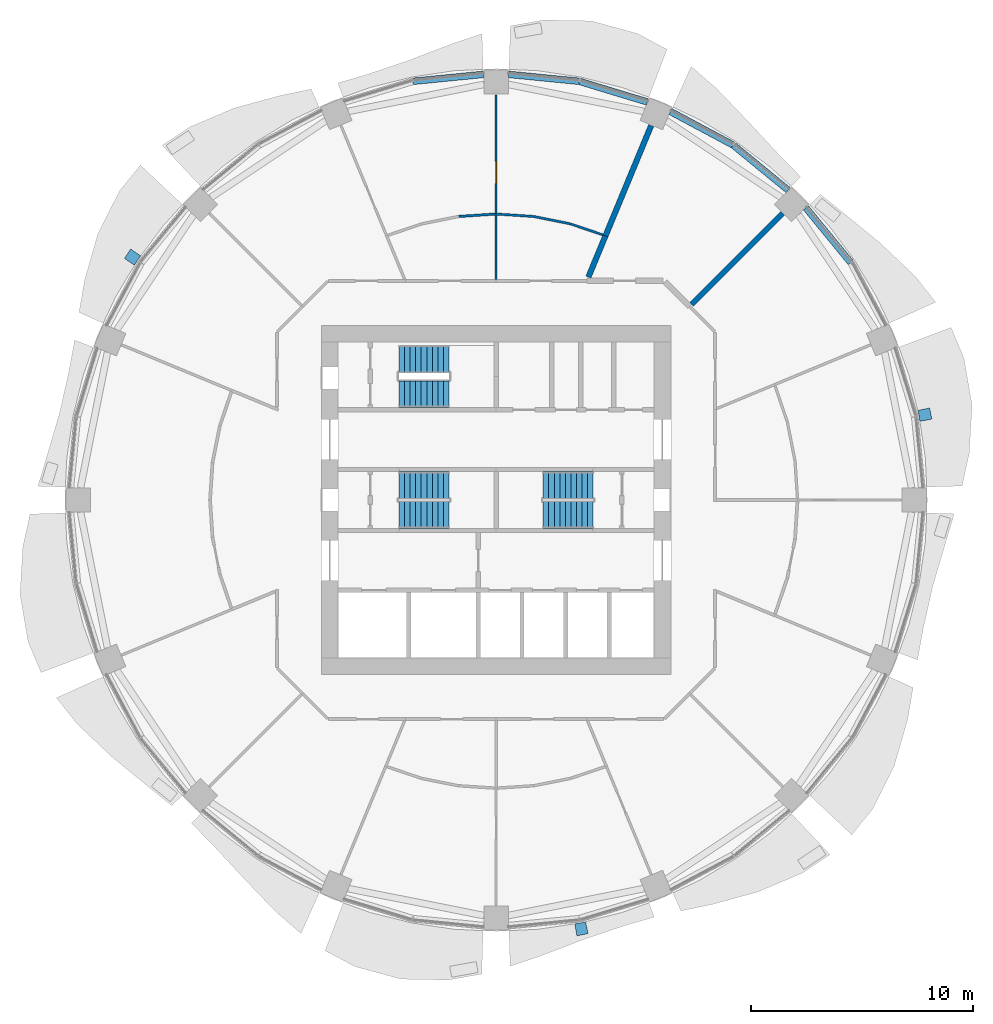
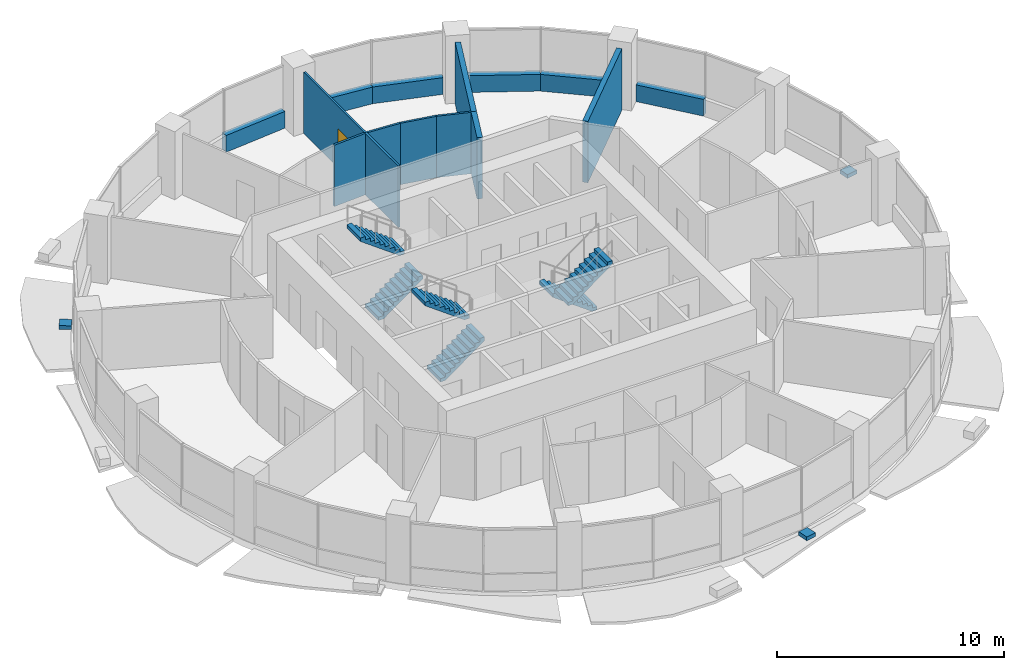
# One storey, part 11 of 15: 15 walls, 6 stair flights, 3 discrete accessories, 1 door, 1 opening, 3 elements without a shape of their own.
"""IFC4 building model written with IfcOpenShell, lengths in metres."""

from ifc_helpers import new_model, si_unit, direction, frame, frame_2d, origin, place, context, subcontext, project, spatial, polyline, rectangle, outline, extrude, material, layer, layer_set, type_object, element, fill, aggregate, save


model = new_model("IFC4")

# Units and contexts
model_context = context("Model", 3, precision=1e-05, world=origin(), true_north=direction((0.0, 1.0)))
body_context = subcontext(model_context, "Body", "Model", "MODEL_VIEW")
ifc_project = project(units=[si_unit("LENGTHUNIT", "METRE"), si_unit("AREAUNIT", "SQUARE_METRE"), si_unit("VOLUMEUNIT", "CUBIC_METRE"), si_unit("PLANEANGLEUNIT", "RADIAN"), si_unit("MASSUNIT", "GRAM", prefix="KILO")], contexts=[model_context])

# Site, building, storey
site_placement = place(None, origin())
site = spatial("IfcSite", under=ifc_project, at=site_placement, CompositionType="ELEMENT")
building_placement = place(site_placement, origin())
building = spatial("IfcBuilding", under=site, at=building_placement, Name="Polderwave Tower", CompositionType="ELEMENT")
storey_placement = place(building_placement, frame((0.0, 0.0, 76.39990234375)))
storey = spatial("IfcBuildingStorey", under=building, at=storey_placement, Name="L19", CompositionType="ELEMENT", Elevation=76.39990234375)

# Walls
ifc_material_1 = material(Name="Concrete C50/60 (board-marked)", Category="concrete")
ifc_layer_1 = layer(ifc_material_1, 0.300048828125)
ifc_layer_set_1 = layer_set([ifc_layer_1], Name="Concrete spandrel upstand C50/60")
wall_type_1 = type_object("IfcWallType", Name="Concrete spandrel upstand C50/60", PredefinedType="SOLIDWALL", material=ifc_layer_set_1)
for number, where, z_axis, x_axis, name in (
    (1, (15.987548828125, 10.70068359375, 0.0), (0.0, 0.0, 1.0), (-0.63411253447, 0.773240773387, 0.0), "Spandrel L19 2b"),
    (2, (13.16748046875, 13.964599609375, 0.0), (0.0, 0.0, 1.0), (-0.773240773387, 0.63411253447, 0.0), "Spandrel L19 3a"),
    (3, (10.67578125, 16.004150390625, 0.0), (0.0, 0.0, 1.0), (-0.8819437364, 0.471354692163, 0.0), "Spandrel L19 3b"),
):
    element("IfcWall", number, at=place(storey_placement, frame(where, z_axis=z_axis, x_axis=x_axis)), inside=storey, type_object=wall_type_1, Name=name, PredefinedType="SOLIDWALL", context=body_context, shape_type="SweptSolid", body=[
        extrude(rectangle(XDim=3.190185546875, YDim=0.300048828125, at=frame_2d((1.59521484375, 0.0))), origin(), (0.0, 0.0, 1.0), 0.900146484375),
    ])
wall_1_placement = place(storey_placement, frame((6.820556640625, 17.939453125, 0.0), z_axis=(0.0, 0.0, 1.0), x_axis=(-0.956954228099, 0.290238876314, 0.0)))
element("IfcWall", 4, at=wall_1_placement, inside=storey, type_object=wall_type_1, Name="Spandrel L19 4a", PredefinedType="SOLIDWALL", context=body_context, shape_type="SweptSolid", body=[
    extrude(rectangle(XDim=3.190673828125, YDim=0.300048828125, at=frame_2d((1.59521484375, 0.0))), origin(), (0.0, 0.0, 1.0), 0.900146484375),
])
for number, where, z_axis, x_axis, name in (
    (5, (3.738037109375, 18.87158203125, 0.0), (0.0, 0.0, 1.0), (-0.995173420989, 0.098131861065, 0.0), "Spandrel L19 4b"),
    (6, (-0.56396484375, 19.1845703125, 0.0), (0.0, 0.0, 1.0), (-0.995173420989, -0.098131861065, 0.0), "Spandrel L19 5a"),
):
    element("IfcWall", number, at=place(storey_placement, frame(where, z_axis=z_axis, x_axis=x_axis)), inside=storey, type_object=wall_type_1, Name=name, PredefinedType="SOLIDWALL", context=body_context, shape_type="SweptSolid", body=[
        extrude(rectangle(XDim=3.189453125, YDim=0.300048828125, at=frame_2d((1.5947265625, 0.0))), origin(), (0.0, 0.0, 1.0), 0.900146484375),
    ])

# Wall, opening, door
ifc_material_2 = material(Name="Plasterboard on steel studs", Category="steel")
ifc_layer_2 = layer(ifc_material_2, 0.10009765625)
ifc_layer_set_2 = layer_set([ifc_layer_2], Name="Partition 100 mm plasterboard on steel studs")
wall_type_2 = type_object("IfcWallType", Name="Partition 100 mm plasterboard on steel studs", PredefinedType="PARTITIONING", material=ifc_layer_set_2)
wall_2_placement = place(storey_placement, frame((0.0, 18.260009765625, 0.0), z_axis=(0.0, 0.0, 1.0), x_axis=(0.0, -1.0, 0.0)))
wall_2 = element("IfcWall", 7, at=wall_2_placement, inside=storey, type_object=wall_type_2, Name="IN-L19-W036", PredefinedType="PARTITIONING", context=body_context, shape_type="SweptSolid", body=[
    extrude(rectangle(XDim=5.3701171875, YDim=0.10009765625, at=frame_2d((2.68505859375, 0.0))), origin(), (0.0, 0.0, 1.0), 3.300048828125),
])
opening_placement = place(wall_2_placement, frame((3.0, 0.0, 0.0)))
opening = element("IfcOpeningElement", 8, at=opening_placement, cuts=wall_2, Name="Opening L19-D64", PredefinedType="OPENING", context=body_context, shape_type="SweptSolid", body=[
    extrude(rectangle(XDim=1.0, YDim=2.10009765625, at=frame_2d((0.5, 1.050048828125))), frame((0.0, 0.06005859375, 0.0), z_axis=(0.0, -1.0, 0.0), x_axis=(1.0, 0.0, 0.0)), (0.0, 0.0, 1.0), 0.1201171875),
])
ifc_material_3 = material(Name="Timber veneer door leaf", Category="wood")
door_type = type_object("IfcDoorType", Name="Single door 1000 x 2100", OperationType="NOTDEFINED", PredefinedType="DOOR", material=ifc_material_3)
door_placement = place(opening_placement, origin())
door = element("IfcDoor", 9, at=door_placement, inside=storey, type_object=door_type, Name="Door L19-D64", OperationType="SINGLE_SWING_RIGHT", OverallHeight=2.10009765625, OverallWidth=1.0, PredefinedType="DOOR", context=body_context, shape_type="SweptSolid", body=[
    extrude(rectangle(XDim=1.0, YDim=2.10009765625, at=frame_2d((0.5, 1.050048828125))), frame((0.0, 0.02490234375, 0.0), z_axis=(0.0, -1.0, 0.0), x_axis=(1.0, 0.0, 0.0)), (0.0, 0.0, 1.0), 0.050048828125),
])
fill(opening, door)

# Walls
ifc_material_4 = material(Name="Moisture-resistant board on steel studs, tiled", Category="steel")
ifc_layer_3 = layer(ifc_material_4, 0.10498046875)
ifc_layer_set_3 = layer_set([ifc_layer_3], Name="Partition 105 mm wet room board and tile")
wall_type_3 = type_object("IfcWallType", Name="Partition 105 mm wet room board and tile", PredefinedType="PARTITIONING", material=ifc_layer_set_3)
wall_3_placement = place(storey_placement, frame((0.055908203125, 12.88623046875, 0.0), z_axis=(0.0, 0.0, 1.0), x_axis=(0.99785694905, -0.065433242561, 0.0)))
element("IfcWall", 10, at=wall_3_placement, inside=storey, type_object=wall_type_3, Name="IN-L19-W032", PredefinedType="PARTITIONING", context=body_context, shape_type="SweptSolid", body=[
    extrude(rectangle(XDim=1.626708984375, YDim=0.10498046875, at=frame_2d((0.8134765625, 0.0))), origin(), (0.0, 0.0, 1.0), 3.300048828125),
])
wall_4_placement = place(storey_placement, frame((1.685791015625, 12.779052734375, 0.0), z_axis=(0.0, 0.0, 1.0), x_axis=(0.980781464345, -0.195109505655, 0.0)))
element("IfcWall", 11, at=wall_4_placement, inside=storey, type_object=wall_type_3, Name="IN-L19-W033", PredefinedType="PARTITIONING", context=body_context, shape_type="SweptSolid", body=[
    extrude(rectangle(XDim=1.67919921875, YDim=0.10498046875, at=frame_2d((0.839599609375, 0.0))), origin(), (0.0, 0.0, 1.0), 3.300048828125),
])
wall_5_placement = place(storey_placement, frame((3.339599609375, 12.44970703125, 0.0), z_axis=(0.0, 0.0, 1.0), x_axis=(0.946908669333, -0.321502677971, 0.0)))
element("IfcWall", 12, at=wall_5_placement, inside=storey, type_object=wall_type_3, Name="IN-L19-W034", PredefinedType="PARTITIONING", context=body_context, shape_type="SweptSolid", body=[
    extrude(rectangle(XDim=1.5537109375, YDim=0.10498046875, at=frame_2d((0.77685546875, 0.0))), origin(), (0.0, 0.0, 1.0), 3.300048828125),
])
wall_6_placement = place(storey_placement, frame((0.0, 9.9365234375, 0.0), z_axis=(0.0, 0.0, 1.0), x_axis=(0.0, 1.0, 0.0)))
element("IfcWall", 13, at=wall_6_placement, inside=storey, type_object=wall_type_3, Name="IN-L19-W035", PredefinedType="PARTITIONING", context=body_context, shape_type="SweptSolid", body=[
    extrude(rectangle(XDim=2.953369140625, YDim=0.10498046875, at=frame_2d((1.4765625, 0.0))), origin(), (0.0, 0.0, 1.0), 3.300048828125),
])
ifc_material_5 = material(Name="Acoustic double plasterboard on steel studs", Category="steel")
ifc_layer_4 = layer(ifc_material_5, 0.110107421875)
ifc_layer_set_4 = layer_set([ifc_layer_4], Name="Partition 110 mm acoustic double board")
wall_type_4 = type_object("IfcWallType", Name="Partition 110 mm acoustic double board", PredefinedType="PARTITIONING", material=ifc_layer_set_4)
wall_7_placement = place(storey_placement, frame((-1.678955078125, 12.77978515625, 0.0), z_axis=(0.0, 0.0, 1.0), x_axis=(0.997855663367, 0.065452846281, 0.0)))
element("IfcWall", 14, at=wall_7_placement, inside=storey, type_object=wall_type_4, Name="IN-L19-W039", PredefinedType="PARTITIONING", context=body_context, shape_type="SweptSolid", body=[
    extrude(rectangle(XDim=1.626220703125, YDim=0.110107421875, at=frame_2d((0.81298828125, 0.0))), origin(), (0.0, 0.0, 1.0), 3.300048828125),
])
ifc_material_6 = material(Name="Fire-resisting board on steel studs, mineral wool", Category="steel")
ifc_layer_5 = layer(ifc_material_6, 0.25)
ifc_layer_set_5 = layer_set([ifc_layer_5], Name="Plant room wall 250 mm EI 120")
wall_type_5 = type_object("IfcWallType", Name="Plant room wall 250 mm EI 120", PredefinedType="PARTITIONING", material=ifc_layer_set_5)
wall_8_placement = place(storey_placement, frame((12.911865234375, 12.911865234375, 0.0), z_axis=(0.0, 0.0, 1.0), x_axis=(-0.707106781187, -0.707106781187, 0.0)))
element("IfcWall", 15, at=wall_8_placement, inside=storey, type_object=wall_type_5, Name="IN-L19-W029", PredefinedType="PARTITIONING", context=body_context, shape_type="SweptSolid", body=[
    extrude(rectangle(XDim=5.7998046875, YDim=0.25, at=frame_2d((2.89990234375, 0.0))), origin(), (0.0, 0.0, 1.0), 3.300048828125),
])
wall_9_placement = place(storey_placement, frame((4.16162109375, 10.046875, 0.0), z_axis=(0.0, 0.0, 1.0), x_axis=(0.382704875876, 0.923870650027, 0.0)))
element("IfcWall", 16, at=wall_9_placement, inside=storey, type_object=wall_type_5, Name="IN-L19-W030", PredefinedType="PARTITIONING", context=body_context, shape_type="SweptSolid", body=[
    extrude(rectangle(XDim=2.01513671875, YDim=0.25, at=frame_2d((1.007568359375, 0.0))), origin(), (0.0, 0.0, 1.0), 3.300048828125),
])
wall_10_placement = place(storey_placement, frame((4.932861328125, 11.90869140625, 0.0), z_axis=(0.0, 0.0, 1.0), x_axis=(0.382658286204, 0.923889947991, 0.0)))
element("IfcWall", 17, at=wall_10_placement, inside=storey, type_object=wall_type_5, Name="IN-L19-W031", PredefinedType="PARTITIONING", context=body_context, shape_type="SweptSolid", body=[
    extrude(rectangle(XDim=5.3701171875, YDim=0.25, at=frame_2d((2.68505859375, 0.0))), origin(), (0.0, 0.0, 1.0), 3.300048828125),
])

# Stair, stair flights
ifc_material_7 = material(Name="Concrete C40/50", Category="concrete")
stair_type = type_object("IfcStairType", Name="Exit stair 1200 x 20 risers", PredefinedType="HALF_TURN_STAIR", material=ifc_material_7)
stair_1_placement = place(storey_placement, origin())
stair_1 = element("IfcStair", 18, at=stair_1_placement, inside=storey, type_object=stair_type, Name="L19 Exit stair A", PredefinedType="HALF_TURN_STAIR")
stair_flight_type = type_object("IfcStairFlightType", Name="Stair flight 1200", PredefinedType="STRAIGHT", material=ifc_material_7)
stair_flight_1_placement = place(storey_placement, frame((-4.3740234375, -0.675048828125, 0.0), z_axis=(0.0, 0.0, 1.0), x_axis=(1.0, 0.0, 0.0)))
stair_flight_1 = element("IfcStairFlight", 19, at=stair_flight_1_placement, type_object=stair_flight_type, Name="ST-A flight 1", NumberOfRisers=10, NumberOfTreads=9, PredefinedType="STRAIGHT", RiserHeight=0.1825, TreadLength=0.25, context=body_context, shape_type="SweptSolid", body=[
    extrude(outline(polyline([(0.0, 0.0), (0.0, 0.1826171875), (0.25, 0.1826171875), (0.25, 0.364990234375), (0.5, 0.364990234375), (0.5, 0.547607421875), (0.75, 0.547607421875), (0.75, 0.72998046875), (1.0, 0.72998046875), (1.0, 0.91259765625), (1.25, 0.91259765625), (1.25, 1.094970703125), (1.5, 1.094970703125), (1.5, 1.277587890625), (1.75, 1.277587890625), (1.75, 1.4599609375), (2.0, 1.4599609375), (2.0, 1.642578125), (2.25, 1.642578125), (2.25, 1.824951171875), (2.25, 1.456787109375), (0.254150390625, 0.0), (0.0, 0.0)])), frame((0.0, 0.60009765625, 0.0), z_axis=(0.0, -1.0, 0.0), x_axis=(1.0, 0.0, 0.0)), (0.0, 0.0, 1.0), 1.199951171875),
])
stair_flight_2_placement = place(storey_placement, frame((-2.1240234375, 0.675048828125, 1.8251953125), z_axis=(0.0, 0.0, 1.0), x_axis=(-1.0, 0.0, 0.0)))
stair_flight_2 = element("IfcStairFlight", 20, at=stair_flight_2_placement, type_object=stair_flight_type, Name="ST-A flight 2", NumberOfRisers=10, NumberOfTreads=9, PredefinedType="STRAIGHT", RiserHeight=0.1825, TreadLength=0.25, context=body_context, shape_type="SweptSolid", body=[
    extrude(outline(polyline([(0.0, 0.0), (0.0, 0.1826171875), (0.25, 0.1826171875), (0.25, 0.364990234375), (0.5, 0.364990234375), (0.5, 0.547607421875), (0.75, 0.547607421875), (0.75, 0.72998046875), (1.0, 0.72998046875), (1.0, 0.91259765625), (1.25, 0.91259765625), (1.25, 1.094970703125), (1.5, 1.094970703125), (1.5, 1.277587890625), (1.75, 1.277587890625), (1.75, 1.4599609375), (2.0, 1.4599609375), (2.0, 1.642578125), (2.25, 1.642578125), (2.25, 1.824951171875), (2.25, 1.456787109375), (0.254150390625, 0.0), (0.0, 0.0)])), frame((0.0, 0.60009765625, 0.0), z_axis=(0.0, -1.0, 0.0), x_axis=(1.0, 0.0, 0.0)), (0.0, 0.0, 1.0), 1.199951171875),
])
aggregate(stair_1, [stair_flight_1, stair_flight_2])

stair_2_placement = place(storey_placement, origin())
stair_2 = element("IfcStair", 21, at=stair_2_placement, inside=storey, type_object=stair_type, Name="L19 Exit stair B", PredefinedType="HALF_TURN_STAIR")
stair_flight_3_placement = place(storey_placement, frame((4.3740234375, 0.675048828125, 0.0), z_axis=(0.0, 0.0, 1.0), x_axis=(-1.0, 0.0, 0.0)))
stair_flight_3 = element("IfcStairFlight", 22, at=stair_flight_3_placement, type_object=stair_flight_type, Name="ST-B flight 1", NumberOfRisers=10, NumberOfTreads=9, PredefinedType="STRAIGHT", RiserHeight=0.1825, TreadLength=0.25, context=body_context, shape_type="SweptSolid", body=[
    extrude(outline(polyline([(0.0, 0.0), (0.0, 0.1826171875), (0.25, 0.1826171875), (0.25, 0.364990234375), (0.5, 0.364990234375), (0.5, 0.547607421875), (0.75, 0.547607421875), (0.75, 0.72998046875), (1.0, 0.72998046875), (1.0, 0.91259765625), (1.25, 0.91259765625), (1.25, 1.094970703125), (1.5, 1.094970703125), (1.5, 1.277587890625), (1.75, 1.277587890625), (1.75, 1.4599609375), (2.0, 1.4599609375), (2.0, 1.642578125), (2.25, 1.642578125), (2.25, 1.824951171875), (2.25, 1.456787109375), (0.254150390625, 0.0), (0.0, 0.0)])), frame((0.0, 0.60009765625, 0.0), z_axis=(0.0, -1.0, 0.0), x_axis=(1.0, 0.0, 0.0)), (0.0, 0.0, 1.0), 1.199951171875),
])
stair_flight_4_placement = place(storey_placement, frame((2.1240234375, -0.675048828125, 1.8251953125), z_axis=(0.0, 0.0, 1.0), x_axis=(1.0, 0.0, 0.0)))
stair_flight_4 = element("IfcStairFlight", 23, at=stair_flight_4_placement, type_object=stair_flight_type, Name="ST-B flight 2", NumberOfRisers=10, NumberOfTreads=9, PredefinedType="STRAIGHT", RiserHeight=0.1825, TreadLength=0.25, context=body_context, shape_type="SweptSolid", body=[
    extrude(outline(polyline([(0.0, 0.0), (0.0, 0.1826171875), (0.25, 0.1826171875), (0.25, 0.364990234375), (0.5, 0.364990234375), (0.5, 0.547607421875), (0.75, 0.547607421875), (0.75, 0.72998046875), (1.0, 0.72998046875), (1.0, 0.91259765625), (1.25, 0.91259765625), (1.25, 1.094970703125), (1.5, 1.094970703125), (1.5, 1.277587890625), (1.75, 1.277587890625), (1.75, 1.4599609375), (2.0, 1.4599609375), (2.0, 1.642578125), (2.25, 1.642578125), (2.25, 1.824951171875), (2.25, 1.456787109375), (0.254150390625, 0.0), (0.0, 0.0)])), frame((0.0, 0.60009765625, 0.0), z_axis=(0.0, -1.0, 0.0), x_axis=(1.0, 0.0, 0.0)), (0.0, 0.0, 1.0), 1.199951171875),
])
aggregate(stair_2, [stair_flight_3, stair_flight_4])

stair_3_placement = place(storey_placement, origin())
stair_3 = element("IfcStair", 24, at=stair_3_placement, inside=storey, type_object=stair_type, Name="L19 Exit stair C", PredefinedType="HALF_TURN_STAIR")
stair_flight_5_placement = place(storey_placement, frame((-4.3740234375, 4.77392578125, 0.0), z_axis=(0.0, 0.0, 1.0), x_axis=(1.0, 0.0, 0.0)))
stair_flight_5 = element("IfcStairFlight", 25, at=stair_flight_5_placement, type_object=stair_flight_type, Name="ST-C flight 1", NumberOfRisers=10, NumberOfTreads=9, PredefinedType="STRAIGHT", RiserHeight=0.1825, TreadLength=0.25, context=body_context, shape_type="SweptSolid", body=[
    extrude(outline(polyline([(0.0, 0.0), (0.0, 0.1826171875), (0.25, 0.1826171875), (0.25, 0.364990234375), (0.5, 0.364990234375), (0.5, 0.547607421875), (0.75, 0.547607421875), (0.75, 0.72998046875), (1.0, 0.72998046875), (1.0, 0.91259765625), (1.25, 0.91259765625), (1.25, 1.094970703125), (1.5, 1.094970703125), (1.5, 1.277587890625), (1.75, 1.277587890625), (1.75, 1.4599609375), (2.0, 1.4599609375), (2.0, 1.642578125), (2.25, 1.642578125), (2.25, 1.824951171875), (2.25, 1.456787109375), (0.254150390625, 0.0), (0.0, 0.0)])), frame((0.0, 0.60009765625, 0.0), z_axis=(0.0, -1.0, 0.0), x_axis=(1.0, 0.0, 0.0)), (0.0, 0.0, 1.0), 1.199951171875),
])
stair_flight_6_placement = place(storey_placement, frame((-2.1240234375, 6.3740234375, 1.8251953125), z_axis=(0.0, 0.0, 1.0), x_axis=(-1.0, 0.0, 0.0)))
stair_flight_6 = element("IfcStairFlight", 26, at=stair_flight_6_placement, type_object=stair_flight_type, Name="ST-C flight 2", NumberOfRisers=10, NumberOfTreads=9, PredefinedType="STRAIGHT", RiserHeight=0.1825, TreadLength=0.25, context=body_context, shape_type="SweptSolid", body=[
    extrude(outline(polyline([(0.0, 0.0), (0.0, 0.1826171875), (0.25, 0.1826171875), (0.25, 0.364990234375), (0.5, 0.364990234375), (0.5, 0.547607421875), (0.75, 0.547607421875), (0.75, 0.72998046875), (1.0, 0.72998046875), (1.0, 0.91259765625), (1.25, 0.91259765625), (1.25, 1.094970703125), (1.5, 1.094970703125), (1.5, 1.277587890625), (1.75, 1.277587890625), (1.75, 1.4599609375), (2.0, 1.4599609375), (2.0, 1.642578125), (2.25, 1.642578125), (2.25, 1.824951171875), (2.25, 1.456787109375), (0.254150390625, 0.0), (0.0, 0.0)])), frame((0.0, 0.60009765625, 0.0), z_axis=(0.0, -1.0, 0.0), x_axis=(1.0, 0.0, 0.0)), (0.0, 0.0, 1.0), 1.199951171875),
])
aggregate(stair_3, [stair_flight_5, stair_flight_6])

# Discrete accessories
ifc_material_8 = material(Name="Steel S355", Category="steel")
discrete_accessory_type = type_object("IfcDiscreteAccessoryType", Name="Band bracket pad", PredefinedType="BRACKET", material=ifc_material_8)
discrete_accessory_1_placement = place(storey_placement, frame((0.0, 0.0, -0.199951171875)))
element("IfcDiscreteAccessory", 27, at=discrete_accessory_1_placement, inside=storey, type_object=discrete_accessory_type, Name="Band bracket L19 1", PredefinedType="BRACKET", context=body_context, shape_type="SweptSolid", body=[
    extrude(outline(polyline([(19.10302734375, 3.54541015625), (19.06640625, 3.79248046875), (19.005615234375, 4.03515625), (19.543701171875, 4.1494140625), (19.643798828125, 3.6455078125), (19.10302734375, 3.54541015625)])), origin(), (0.0, 0.0, 1.0), 0.199951171875),
])
discrete_accessory_2_placement = place(storey_placement, frame((0.0, 0.0, -0.199951171875)))
element("IfcDiscreteAccessory", 28, at=discrete_accessory_2_placement, inside=storey, type_object=discrete_accessory_type, Name="Band bracket L19 7", PredefinedType="BRACKET", context=body_context, shape_type="SweptSolid", body=[
    extrude(outline(polyline([(-16.014892578125, 11.001220703125), (-16.163818359375, 10.80029296875), (-16.292236328125, 10.5859375), (-16.75341796875, 10.885498046875), (-16.46826171875, 11.3125), (-16.014892578125, 11.001220703125)])), origin(), (0.0, 0.0, 1.0), 0.199951171875),
])
discrete_accessory_3_placement = place(storey_placement, frame((0.0, 0.0, -0.199951171875)))
element("IfcDiscreteAccessory", 29, at=discrete_accessory_3_placement, inside=storey, type_object=discrete_accessory_type, Name="Band bracket L19 13", PredefinedType="BRACKET", context=body_context, shape_type="SweptSolid", body=[
    extrude(outline(polyline([(3.54541015625, -19.10302734375), (3.79248046875, -19.06640625), (4.03515625, -19.005615234375), (4.1494140625, -19.543701171875), (3.6455078125, -19.643798828125), (3.54541015625, -19.10302734375)])), origin(), (0.0, 0.0, 1.0), 0.199951171875),
])

save(model, "model.ifc")
